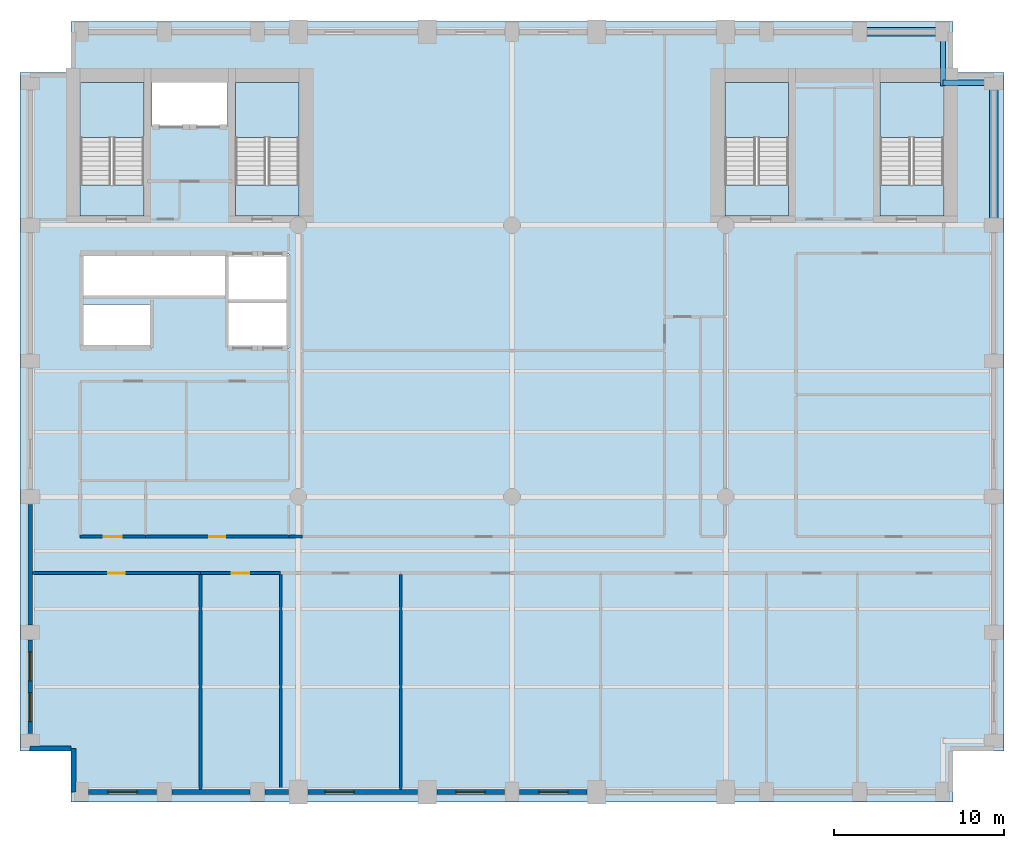
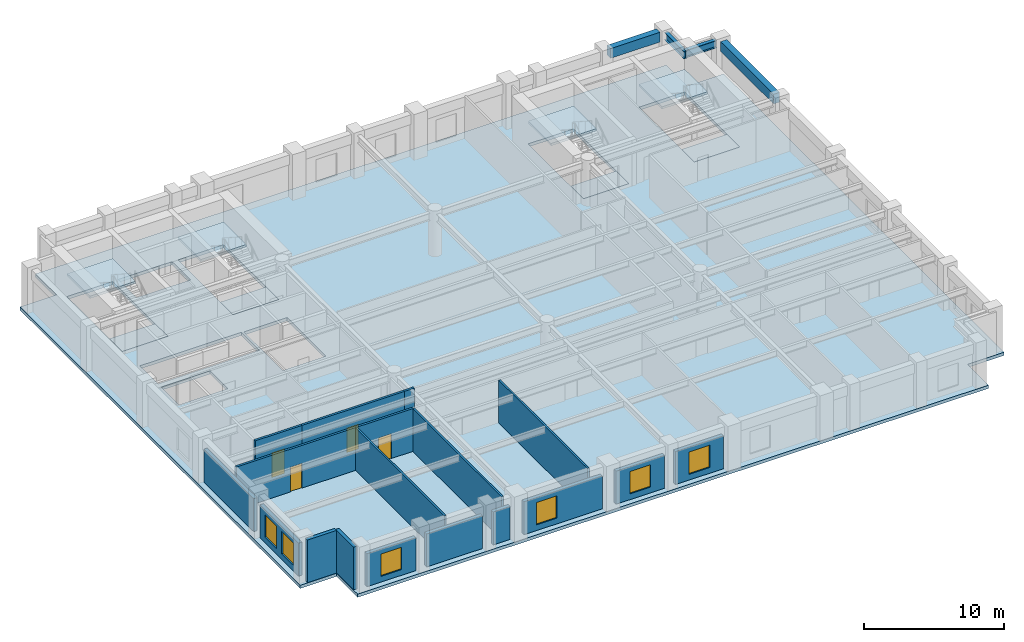
# One storey, part 2 of 8: 18 walls, 9 slabs, 6 windows, 4 beams, 4 doors, 10 openings, 4 elements without a shape of their own.
"""IFC4 building model written with IfcOpenShell, lengths in metres."""

import ifcopenshell
import ifcopenshell.guid

model = None  # the IFC model being written
_history = None  # IfcOwnerHistory: only IFC2X3 demands one
_inside = {}  # id of a spatial element -> (the spatial element, [elements in it])
_under = {}  # id of a project, library or spatial element -> (it, [spatial elements below it])
_declared = {}  # id of a project -> (the project, [libraries it declares])
_typed = {}  # id of a type object -> (the type object, [elements of that type])
_made_of = {}  # id of a material, layer set ... -> (it, [elements and type objects made of it])


def new_model(schema):
    """Start an empty IFC model of exactly this schema.

    Asked for "IFC4X3", IfcOpenShell would pick the latest addendum, in which some entities
    have other attributes; the version numbers below select the first issue.
    IFC2X3 requires an IfcOwnerHistory on every rooted entity: one is made here for all.
    """
    global model, _history
    if schema == "IFC4X3":
        model = ifcopenshell.file(schema_version=(4, 3, 0, 0))
    else:
        model = ifcopenshell.file(schema=schema)
    _inside.clear()
    _under.clear()
    _declared.clear()
    _typed.clear()
    _made_of.clear()
    _history = None
    if model.schema == "IFC2X3":
        org = make("IfcOrganization", Name="unknown")
        user = make(
            "IfcPersonAndOrganization",
            ThePerson=make("IfcPerson", FamilyName="unknown"),
            TheOrganization=org,
        )
        app = make(
            "IfcApplication",
            ApplicationDeveloper=org,
            Version="unknown",
            ApplicationFullName="unknown",
            ApplicationIdentifier="unknown",
        )
        _history = make(
            "IfcOwnerHistory",
            OwningUser=user,
            OwningApplication=app,
            ChangeAction="ADDED",
            CreationDate=0,
        )
    return model


def make(cls, **values):
    """One entity of the class cls with the attributes given. An attribute that is None is left unset."""
    return model.create_entity(
        cls, **{name: value for name, value in values.items() if value is not None}
    )


def rooted(cls, **values):
    """An entity with a GlobalId (a new one), such as an element, a storey or a relation."""
    return make(cls, GlobalId=ifcopenshell.guid.new(), OwnerHistory=_history, **values)


def si_unit(unit_type, name, prefix=None):
    """IfcSIUnit, for example si_unit("LENGTHUNIT", "METRE", prefix="MILLI")."""
    return make("IfcSIUnit", UnitType=unit_type, Prefix=prefix, Name=name)


def assignment(units):
    """IfcUnitAssignment: the units of a project."""
    return None if units is None else make("IfcUnitAssignment", Units=units)


def point(xyz):
    """IfcCartesianPoint."""
    return None if xyz is None else make("IfcCartesianPoint", Coordinates=xyz)


def direction(xyz):
    """IfcDirection."""
    return None if xyz is None else make("IfcDirection", DirectionRatios=xyz)


def frame(location, z_axis=None, x_axis=None):
    """IfcAxis2Placement3D, a coordinate frame: its origin and axes. An axis left out is left unset."""
    return make(
        "IfcAxis2Placement3D",
        Location=point(location),
        Axis=direction(z_axis),
        RefDirection=direction(x_axis),
    )


def frame_2d(location, x_axis=None):
    """IfcAxis2Placement2D, a coordinate frame in the plane: its origin and x axis."""
    return make(
        "IfcAxis2Placement2D", Location=point(location), RefDirection=direction(x_axis)
    )


def origin():
    """The frame at (0, 0, 0) with its axes left unset."""
    return frame((0.0, 0.0, 0.0))


def origin_2d():
    """The frame at (0, 0) in the plane with its x axis left unset."""
    return frame_2d((0.0, 0.0))


def place(relative_to, where):
    """IfcLocalPlacement: puts the frame where relative to a parent placement (None: the world)."""
    return make(
        "IfcLocalPlacement", PlacementRelTo=relative_to, RelativePlacement=where
    )


def context(
    kind, dimensions, precision=None, world=None, true_north=None, identifier=None
):
    """IfcGeometricRepresentationContext, for example the 3D "Model" context."""
    return make(
        "IfcGeometricRepresentationContext",
        ContextIdentifier=identifier,
        ContextType=kind,
        CoordinateSpaceDimension=dimensions,
        Precision=precision,
        WorldCoordinateSystem=world,
        TrueNorth=true_north,
    )


def subcontext(parent, identifier, kind, view, scale=None):
    """IfcGeometricRepresentationSubContext, for example "Body" below "Model"."""
    return make(
        "IfcGeometricRepresentationSubContext",
        ContextIdentifier=identifier,
        ContextType=kind,
        ParentContext=parent,
        TargetScale=scale,
        TargetView=view,
    )


def project(units=None, contexts=None):
    """IfcProject with its units and contexts."""
    return rooted(
        "IfcProject",
        Name="project",
        RepresentationContexts=contexts,
        UnitsInContext=assignment(units),
    )


def spatial(cls, under=None, at=None, **own):
    """A site, building, storey or space (cls), placed at a placement, below another one or the project."""
    s = rooted(cls, ObjectPlacement=at, **own)
    if under is not None:
        _under.setdefault(under.id(), (under, []))[1].append(s)
    return s


def polyline(points):
    """IfcPolyline through the points."""
    return make("IfcPolyline", Points=[point(p) for p in points])


def profile(cls, at=None, kind="AREA", **sizes):
    """A parametric profile (cls). Its sizes go by their IFC names, for example OverallWidth=200.0."""
    return make(cls, ProfileType=kind, Position=at, **sizes)


def rectangle(**sizes):
    """IfcRectangleProfileDef."""
    return profile("IfcRectangleProfileDef", **sizes)


def i_section(**sizes):
    """IfcIShapeProfileDef."""
    return profile("IfcIShapeProfileDef", **sizes)


def outline(outer, holes=None, kind="AREA"):
    """IfcArbitraryClosedProfileDef: a profile drawn as a closed curve; with holes, ...WithVoids."""
    if holes is None:
        return make("IfcArbitraryClosedProfileDef", ProfileType=kind, OuterCurve=outer)
    return make(
        "IfcArbitraryProfileDefWithVoids",
        ProfileType=kind,
        OuterCurve=outer,
        InnerCurves=holes,
    )


def extrude(swept, where, along, depth):
    """IfcExtrudedAreaSolid: the profile swept, set in the frame where, extruded along a direction by depth."""
    return make(
        "IfcExtrudedAreaSolid",
        SweptArea=swept,
        Position=where,
        ExtrudedDirection=direction(along),
        Depth=depth,
    )


def shape(context_of_items, identifier, shape_type, items):
    """IfcShapeRepresentation: the items that make up one representation, for example the "Body"."""
    return make(
        "IfcShapeRepresentation",
        ContextOfItems=context_of_items,
        RepresentationIdentifier=identifier,
        RepresentationType=shape_type,
        Items=items,
    )


def material(Name=None, Category=None):
    """IfcMaterial."""
    return make("IfcMaterial", Name=Name, Category=Category)


def layer(
    of_material, thickness, ventilated=None, Name=None, Category=None, Priority=None
):
    """IfcMaterialLayer: one layer of a wall or slab, of a material (None: an air gap)."""
    return make(
        "IfcMaterialLayer",
        Material=of_material,
        LayerThickness=thickness,
        IsVentilated=ventilated,
        Name=Name,
        Category=Category,
        Priority=Priority,
    )


def layer_set(layers, Name=None):
    """IfcMaterialLayerSet."""
    return make("IfcMaterialLayerSet", MaterialLayers=layers, LayerSetName=Name)


def material_profile(
    of_material, cross_section, Name=None, Category=None, Priority=None
):
    """IfcMaterialProfile: a cross section and its material."""
    return make(
        "IfcMaterialProfile",
        Name=Name,
        Material=of_material,
        Profile=cross_section,
        Priority=Priority,
        Category=Category,
    )


def profile_set(profiles, Name=None, composite=None):
    """IfcMaterialProfileSet."""
    return make(
        "IfcMaterialProfileSet",
        Name=Name,
        MaterialProfiles=profiles,
        CompositeProfile=composite,
    )


def made_of(thing, what):
    """Note that an element or type object is made of a material, layer set ...; save() writes the relation."""
    if what is not None:
        _made_of.setdefault(what.id(), (what, []))[1].append(thing)
    return thing


def type_object(cls, material=None, **own):
    """A type object (cls), such as IfcWallType, which elements share."""
    return made_of(rooted(cls, **own), material)


def element(
    cls,
    number,
    at=None,
    inside=None,
    cuts=None,
    type_object=None,
    material=None,
    context=None,
    identifier="Body",
    shape_type=None,
    held_by="IfcProductDefinitionShape",
    body=None,
    shapes=None,
    **own,
):
    """One element of the class cls, such as IfcWall. Its Tag is "e" and its number.

    at: its placement. inside: the storey or other place that contains it. cuts: it is an
    opening in that element (IfcRelVoidsElement). A single representation is given by context,
    identifier, shape_type and body (its items); several are given by shapes. held_by: the class
    of the entity that holds the representations. save() writes the other relations.
    """
    e = rooted(cls, Tag="e%d" % number, ObjectPlacement=at, **own)
    if body is not None:
        shapes = [shape(context, identifier, shape_type, body)]
    if shapes is not None:
        e.Representation = make(held_by, Representations=shapes)
    if inside is not None:
        _inside.setdefault(inside.id(), (inside, []))[1].append(e)
    if cuts is not None:
        rooted(
            "IfcRelVoidsElement", RelatingBuildingElement=cuts, RelatedOpeningElement=e
        )
    if type_object is not None:
        _typed.setdefault(type_object.id(), (type_object, []))[1].append(e)
    return made_of(e, material)


def fill(opening, filler):
    """IfcRelFillsElement: the door or window that sits in an opening."""
    return rooted(
        "IfcRelFillsElement",
        RelatingOpeningElement=opening,
        RelatedBuildingElement=filler,
    )


def aggregate(whole, parts):
    """IfcRelAggregates: a whole, such as a stair, and the parts it consists of."""
    return rooted("IfcRelAggregates", RelatingObject=whole, RelatedObjects=parts)


def save(model, path):
    """Write the relations noted so far, then the file.

    IfcRelAggregates (storeys below a building ...), IfcRelContainedInSpatialStructure (elements
    in a storey), IfcRelDefinesByType, IfcRelAssociatesMaterial and IfcRelDeclares: one each for
    every whole, place, type object, material and project.
    """
    for whole, parts in _under.values():
        aggregate(whole, parts)
    for where, things in _inside.values():
        rooted(
            "IfcRelContainedInSpatialStructure",
            RelatedElements=things,
            RelatingStructure=where,
        )
    for kind, things in _typed.values():
        rooted("IfcRelDefinesByType", RelatedObjects=things, RelatingType=kind)
    for what, things in _made_of.values():
        rooted("IfcRelAssociatesMaterial", RelatedObjects=things, RelatingMaterial=what)
    for by, libraries in _declared.values():
        rooted("IfcRelDeclares", RelatingContext=by, RelatedDefinitions=libraries)
    model.write(path)


model = new_model("IFC4")

# Units and contexts
model_context = context("Model", 3, precision=1e-05, world=origin(), true_north=direction((0.0, 1.0)))
body_context = subcontext(model_context, "Body", "Model", "MODEL_VIEW")
ifc_project = project(units=[si_unit("LENGTHUNIT", "METRE"), si_unit("AREAUNIT", "SQUARE_METRE"), si_unit("VOLUMEUNIT", "CUBIC_METRE"), si_unit("PLANEANGLEUNIT", "RADIAN"), si_unit("MASSUNIT", "GRAM", prefix="KILO")], contexts=[model_context])

# Site, building, storey
site_placement = place(None, origin())
site = spatial("IfcSite", under=ifc_project, at=site_placement, CompositionType="ELEMENT")
building_placement = place(site_placement, origin())
building = spatial("IfcBuilding", under=site, at=building_placement, Name="Sulina Concourse Tower", CompositionType="ELEMENT")
storey_placement = place(building_placement, frame((0.0, 0.0, 128.60009765625)))
storey = spatial("IfcBuildingStorey", under=building, at=storey_placement, Name="L31", CompositionType="ELEMENT", Elevation=128.60009765625)

# Beams
ifc_material_1 = material(Name="Steel S355", Category="steel")
ifc_material_profile_1 = material_profile(ifc_material_1, i_section(OverallWidth=0.300048828125, OverallDepth=0.64990234375, WebThickness=0.01611328125, FlangeThickness=0.031005859375, at=origin_2d()), Name="HE 650 B")
ifc_profile_set_1 = profile_set([ifc_material_profile_1], Name="Steel S355")
beam_type_1 = type_object("IfcBeamType", Name="Floor Primary Girder Zone 2 HE650B", PredefinedType="BEAM", material=ifc_profile_set_1)
beam_1_placement = place(storey_placement, frame((54.39990234375, 42.39990234375, 3.39990234375), z_axis=(1.0, 0.0, 0.0), x_axis=(0.0, 1.0, 0.0)))
element("IfcBeam", 1, at=beam_1_placement, inside=storey, type_object=beam_type_1, Name="TIE-NE-L31", PredefinedType="BEAM", context=body_context, shape_type="SweptSolid", body=[
    extrude(i_section(OverallWidth=0.300048828125, OverallDepth=0.64990234375, WebThickness=0.01611328125, FlangeThickness=0.031005859375, at=origin_2d()), origin(), (0.0, 0.0, 1.0), 2.59521484375),
])
beam_2_placement = place(storey_placement, frame((54.39990234375, 42.199951171875, 3.39990234375), z_axis=(0.0, 1.0, 0.0), x_axis=(-1.0, 0.0, 0.0)))
element("IfcBeam", 2, at=beam_2_placement, inside=storey, type_object=beam_type_1, Name="TIE-NEN-L31", PredefinedType="BEAM", context=body_context, shape_type="SweptSolid", body=[
    extrude(i_section(OverallWidth=0.300048828125, OverallDepth=0.64990234375, WebThickness=0.01611328125, FlangeThickness=0.031005859375, at=origin_2d()), origin(), (0.0, 0.0, 1.0), 2.795166015625),
])
ifc_material_2 = material(Name="Precast concrete C50/60", Category="concrete")
ifc_material_profile_2 = material_profile(ifc_material_2, rectangle(XDim=0.5, YDim=0.85009765625, at=origin_2d()), Name="RC 500x850")
ifc_profile_set_2 = profile_set([ifc_material_profile_2], Name="Precast concrete C50/60")
beam_type_2 = type_object("IfcBeamType", Name="Lower Precast Spandrel Edge Beam 500x850", PredefinedType="BEAM", material=ifc_profile_set_2)
beam_3_placement = place(storey_placement, frame((49.905029296875, 45.39990234375, 3.2998046875), z_axis=(1.0, 0.0, 0.0), x_axis=(0.0, 1.0, 0.0)))
element("IfcBeam", 3, at=beam_3_placement, inside=storey, type_object=beam_type_2, Name="SP-N10-L31", PredefinedType="BEAM", context=body_context, shape_type="SweptSolid", body=[
    extrude(rectangle(XDim=0.5, YDim=0.85009765625, at=origin_2d()), origin(), (0.0, 0.0, 1.0), 4.090087890625),
])
beam_4_placement = place(storey_placement, frame((57.39990234375, 34.405029296875, 3.2998046875), z_axis=(0.0, 1.0, 0.0), x_axis=(-1.0, 0.0, 0.0)))
element("IfcBeam", 4, at=beam_4_placement, inside=storey, type_object=beam_type_2, Name="SP-E5-L31", PredefinedType="BEAM", context=body_context, shape_type="SweptSolid", body=[
    extrude(rectangle(XDim=0.5, YDim=0.85009765625, at=origin_2d()), origin(), (0.0, 0.0, 1.0), 7.590087890625),
])

# Slabs
ifc_material_3 = material(Name="Concrete C50/60", Category="concrete")
ifc_layer_1 = layer(ifc_material_3, 0.27490234375)
ifc_layer_set_1 = layer_set([ifc_layer_1], Name="Concrete C50/60")
slab_type_1 = type_object("IfcSlabType", Name="Mid-Rise Composite Floor Slab 275mm", PredefinedType="FLOOR", material=ifc_layer_set_1)
slab_1_placement = place(storey_placement, frame((0.0, 0.0, -0.275146484375)))
element("IfcSlab", 5, at=slab_1_placement, inside=storey, type_object=slab_type_1, Name="L31 structural floor slab", PredefinedType="FLOOR", context=body_context, shape_type="SweptSolid", body=[
    extrude(outline(polyline([(3.0, 0.0), (55.0, 0.0), (55.0, 3.0), (58.0, 3.0), (58.0, 43.0), (55.0, 43.0), (55.0, 46.0), (3.0, 46.0), (3.0, 43.0), (0.0, 43.0), (0.0, 3.0), (3.0, 3.0), (3.0, 0.0)]), holes=[polyline([(7.31005859375, 34.550048828125), (7.31005859375, 42.429931640625), (3.550048828125, 42.429931640625), (3.550048828125, 34.550048828125), (7.31005859375, 34.550048828125)]), polyline([(16.449951171875, 34.550048828125), (16.449951171875, 42.429931640625), (12.68994140625, 42.429931640625), (12.68994140625, 34.550048828125), (16.449951171875, 34.550048828125)]), polyline([(45.31005859375, 34.550048828125), (45.31005859375, 42.429931640625), (41.550048828125, 42.429931640625), (41.550048828125, 34.550048828125), (45.31005859375, 34.550048828125)]), polyline([(54.449951171875, 34.550048828125), (54.449951171875, 42.429931640625), (50.68994140625, 42.429931640625), (50.68994140625, 34.550048828125), (54.449951171875, 34.550048828125)]), polyline([(7.780029296875, 39.830078125), (12.219970703125, 39.830078125), (12.219970703125, 42.449951171875), (7.780029296875, 42.449951171875), (7.780029296875, 39.830078125)]), polyline([(3.739990234375, 26.780029296875), (7.77001953125, 26.780029296875), (7.77001953125, 29.320068359375), (3.739990234375, 29.320068359375), (3.739990234375, 26.780029296875)]), polyline([(3.739990234375, 29.780029296875), (12.10009765625, 29.780029296875), (12.10009765625, 32.3701171875), (3.739990234375, 32.3701171875), (3.739990234375, 29.780029296875)]), polyline([(12.280029296875, 26.780029296875), (15.85009765625, 26.780029296875), (15.85009765625, 32.320068359375), (12.280029296875, 32.320068359375), (12.280029296875, 26.780029296875)])]), origin(), (0.0, 0.0, 1.0), 0.275146484375),
])
ifc_material_4 = material(Name="Concrete C50/60", Category="concrete")
ifc_layer_2 = layer(ifc_material_4, 0.199951171875)
ifc_layer_set_2 = layer_set([ifc_layer_2], Name="Concrete C50/60")
slab_type_2 = type_object("IfcSlabType", Name="Primary Core Stair Landing Slab 200mm", PredefinedType="LANDING", material=ifc_layer_set_2)
slab_2_placement = place(storey_placement, frame((0.0, 0.0, -0.2001953125)))
element("IfcSlab", 6, at=slab_2_placement, inside=storey, type_object=slab_type_2, Name="L31 ST-1 floor landing slab", PredefinedType="LANDING", context=body_context, shape_type="SweptSolid", body=[
    extrude(outline(polyline([(7.31005859375, 34.550048828125), (7.31005859375, 36.375), (3.550048828125, 36.375), (3.550048828125, 34.550048828125), (7.31005859375, 34.550048828125)])), origin(), (0.0, 0.0, 1.0), 0.2001953125),
])
slab_3_placement = place(storey_placement, frame((0.0, 0.0, -0.2001953125)))
element("IfcSlab", 7, at=slab_3_placement, inside=storey, type_object=slab_type_2, Name="L31 ST-2 floor landing slab", PredefinedType="LANDING", context=body_context, shape_type="SweptSolid", body=[
    extrude(outline(polyline([(16.449951171875, 34.550048828125), (16.449951171875, 36.375), (12.68994140625, 36.375), (12.68994140625, 34.550048828125), (16.449951171875, 34.550048828125)])), origin(), (0.0, 0.0, 1.0), 0.2001953125),
])
slab_4_placement = place(storey_placement, frame((0.0, 0.0, -0.2001953125)))
element("IfcSlab", 8, at=slab_4_placement, inside=storey, type_object=slab_type_2, Name="L31 ST-3 floor landing slab", PredefinedType="LANDING", context=body_context, shape_type="SweptSolid", body=[
    extrude(outline(polyline([(45.31005859375, 34.550048828125), (45.31005859375, 36.375), (41.550048828125, 36.375), (41.550048828125, 34.550048828125), (45.31005859375, 34.550048828125)])), origin(), (0.0, 0.0, 1.0), 0.2001953125),
])
slab_5_placement = place(storey_placement, frame((0.0, 0.0, -0.2001953125)))
element("IfcSlab", 9, at=slab_5_placement, inside=storey, type_object=slab_type_2, Name="L31 ST-4 floor landing slab", PredefinedType="LANDING", context=body_context, shape_type="SweptSolid", body=[
    extrude(outline(polyline([(54.449951171875, 34.550048828125), (54.449951171875, 36.375), (50.68994140625, 36.375), (50.68994140625, 34.550048828125), (54.449951171875, 34.550048828125)])), origin(), (0.0, 0.0, 1.0), 0.2001953125),
])

# Stair, slab
ifc_material_5 = material(Name="Concrete C50/60", Category="concrete")
stair_type_1 = type_object("IfcStairType", Name="Primary Core Dog-Leg Exit Stair 1800mm", PredefinedType="HALF_TURN_STAIR", material=ifc_material_5)
stair_1_placement = place(storey_placement, origin())
stair_1 = element("IfcStair", 10, at=stair_1_placement, inside=storey, type_object=stair_type_1, Name="L31 ST-1", PredefinedType="HALF_TURN_STAIR")
slab_6_placement = place(storey_placement, frame((0.0, 0.0, 1.7998046875)))
slab_6 = element("IfcSlab", 11, at=slab_6_placement, type_object=slab_type_2, Name="ST-1 landing 1", PredefinedType="LANDING", context=body_context, shape_type="SweptSolid", body=[
    extrude(outline(polyline([(7.304931640625, 39.175048828125), (7.304931640625, 42.425048828125), (3.554931640625, 42.425048828125), (3.554931640625, 39.175048828125), (7.304931640625, 39.175048828125)])), origin(), (0.0, 0.0, 1.0), 0.2001953125),
])
aggregate(stair_1, [slab_6])

stair_2_placement = place(storey_placement, origin())
stair_2 = element("IfcStair", 12, at=stair_2_placement, inside=storey, type_object=stair_type_1, Name="L31 ST-2", PredefinedType="HALF_TURN_STAIR")
slab_7_placement = place(storey_placement, frame((0.0, 0.0, 1.7998046875)))
slab_7 = element("IfcSlab", 13, at=slab_7_placement, type_object=slab_type_2, Name="ST-2 landing 1", PredefinedType="LANDING", context=body_context, shape_type="SweptSolid", body=[
    extrude(outline(polyline([(16.445068359375, 39.175048828125), (16.445068359375, 42.425048828125), (12.695068359375, 42.425048828125), (12.695068359375, 39.175048828125), (16.445068359375, 39.175048828125)])), origin(), (0.0, 0.0, 1.0), 0.2001953125),
])
aggregate(stair_2, [slab_7])

ifc_material_6 = material(Name="Concrete C50/60", Category="concrete")
stair_type_2 = type_object("IfcStairType", Name="Portal & Podium Core Exit Stair 1820mm", PredefinedType="HALF_TURN_STAIR", material=ifc_material_6)
stair_3_placement = place(storey_placement, origin())
stair_3 = element("IfcStair", 14, at=stair_3_placement, inside=storey, type_object=stair_type_2, Name="L31 ST-3", PredefinedType="HALF_TURN_STAIR")
slab_8_placement = place(storey_placement, frame((0.0, 0.0, 1.7998046875)))
slab_8 = element("IfcSlab", 15, at=slab_8_placement, type_object=slab_type_2, Name="ST-3 landing 1", PredefinedType="LANDING", context=body_context, shape_type="SweptSolid", body=[
    extrude(outline(polyline([(45.304931640625, 39.175048828125), (45.304931640625, 42.425048828125), (41.554931640625, 42.425048828125), (41.554931640625, 39.175048828125), (45.304931640625, 39.175048828125)])), origin(), (0.0, 0.0, 1.0), 0.2001953125),
])
aggregate(stair_3, [slab_8])

stair_4_placement = place(storey_placement, origin())
stair_4 = element("IfcStair", 16, at=stair_4_placement, inside=storey, type_object=stair_type_2, Name="L31 ST-4", PredefinedType="HALF_TURN_STAIR")
slab_9_placement = place(storey_placement, frame((0.0, 0.0, 1.7998046875)))
slab_9 = element("IfcSlab", 17, at=slab_9_placement, type_object=slab_type_2, Name="ST-4 landing 1", PredefinedType="LANDING", context=body_context, shape_type="SweptSolid", body=[
    extrude(outline(polyline([(54.445068359375, 39.175048828125), (54.445068359375, 42.425048828125), (50.695068359375, 42.425048828125), (50.695068359375, 39.175048828125), (54.445068359375, 39.175048828125)])), origin(), (0.0, 0.0, 1.0), 0.2001953125),
])
aggregate(stair_4, [slab_9])

# Walls
ifc_material_7 = material(Name="Gypsum board on steel stud", Category="steel")
ifc_layer_3 = layer(ifc_material_7, 0.14990234375)
ifc_layer_set_3 = layer_set([ifc_layer_3], Name="Gypsum board on steel stud")
wall_type_1 = type_object("IfcWallType", Name="Inter-Tenancy Acoustic Partition 150mm", PredefinedType="PARTITIONING", material=ifc_layer_set_3)
for number, where, z_axis, x_axis, name in (
    (18, (10.639892578125, 0.739990234375, 0.0), (0.0, 0.0, 1.0), (0.0, 1.0, 0.0), "L31 interior partition 034"),
    (19, (15.360107421875, 0.739990234375, 0.0), (0.0, 0.0, 1.0), (0.0, 1.0, 0.0), "L31 interior partition 035"),
    (20, (22.43994140625, 0.739990234375, 0.0), (0.0, 0.0, 1.0), (0.0, 1.0, 0.0), "L31 interior partition 043"),
):
    element("IfcWall", number, at=place(storey_placement, frame(where, z_axis=z_axis, x_axis=x_axis)), inside=storey, type_object=wall_type_1, Name=name, PredefinedType="PARTITIONING", context=body_context, shape_type="SweptSolid", body=[
        extrude(rectangle(XDim=12.669921875, YDim=0.14990234375, at=frame_2d((6.3349609375, 0.0))), origin(), (0.0, 0.0, 1.0), 3.724853515625),
    ])

# Wall, opening, door
ifc_material_8 = material(Name="Gypsum board on steel stud", Category="steel")
ifc_layer_4 = layer(ifc_material_8, 0.179931640625)
ifc_layer_set_4 = layer_set([ifc_layer_4], Name="Gypsum board on steel stud")
wall_type_2 = type_object("IfcWallType", Name="Protected Corridor & Riser Partition 180mm", PredefinedType="PARTITIONING", material=ifc_layer_set_4)
wall_1_placement = place(storey_placement, frame((0.739990234375, 13.5, 0.0), z_axis=(0.0, 0.0, 1.0), x_axis=(1.0, 0.0, 0.0)))
wall_1 = element("IfcWall", 21, at=wall_1_placement, inside=storey, type_object=wall_type_2, Name="L31 interior partition 001", PredefinedType="PARTITIONING", context=body_context, shape_type="SweptSolid", body=[
    extrude(rectangle(XDim=9.89990234375, YDim=0.179931640625, at=frame_2d((4.949951171875, 0.0))), origin(), (0.0, 0.0, 1.0), 3.724853515625),
])
opening_1_placement = place(wall_1_placement, frame((4.47509765625, 0.0, 0.0)))
opening_1 = element("IfcOpeningElement", 22, at=opening_1_placement, cuts=wall_1, Name="Opening DR-19", PredefinedType="OPENING", context=body_context, shape_type="SweptSolid", body=[
    extrude(rectangle(XDim=0.949951171875, YDim=2.14990234375, at=frame_2d((0.47509765625, 1.074951171875))), frame((0.0, 0.099853515625, 0.0), z_axis=(0.0, -1.0, 0.0), x_axis=(1.0, 0.0, 0.0)), (0.0, 0.0, 1.0), 0.199951171875),
])
ifc_material_9 = material(Name="Oak-veneered acoustic timber leaf", Category="wood")
ifc_layer_5 = layer(ifc_material_9, 0.050048828125)
ifc_layer_set_5 = layer_set([ifc_layer_5], Name="Oak-veneered acoustic timber leaf")
door_type_1 = type_object("IfcDoorType", Name="Cellular Office & Meeting Door 950x2150", OperationType="NOTDEFINED", PredefinedType="DOOR", material=ifc_layer_set_5)
door_1_placement = place(opening_1_placement, origin())
door_1 = element("IfcDoor", 23, at=door_1_placement, inside=storey, type_object=door_type_1, Name="L31 interior door L31-S01", OperationType="SINGLE_SWING_LEFT", OverallHeight=2.14990234375, OverallWidth=0.949951171875, PredefinedType="DOOR", context=body_context, shape_type="SweptSolid", body=[
    extrude(rectangle(XDim=0.949951171875, YDim=2.14990234375, at=frame_2d((0.47509765625, 1.074951171875))), frame((0.0, 0.02490234375, 0.0), z_axis=(0.0, -1.0, 0.0), x_axis=(1.0, 0.0, 0.0)), (0.0, 0.0, 1.0), 0.050048828125),
])
fill(opening_1, door_1)

wall_2_placement = place(storey_placement, frame((10.639892578125, 13.5, 0.0), z_axis=(0.0, 0.0, 1.0), x_axis=(1.0, 0.0, 0.0)))
wall_2 = element("IfcWall", 24, at=wall_2_placement, inside=storey, type_object=wall_type_2, Name="L31 interior partition 002", PredefinedType="PARTITIONING", context=body_context, shape_type="SweptSolid", body=[
    extrude(rectangle(XDim=4.72021484375, YDim=0.179931640625, at=frame_2d((2.360107421875, 0.0))), origin(), (0.0, 0.0, 1.0), 3.724853515625),
])
opening_2_placement = place(wall_2_placement, frame((1.8349609375, 0.0, 0.0)))
opening_2 = element("IfcOpeningElement", 25, at=opening_2_placement, cuts=wall_2, Name="Opening DR-37", PredefinedType="OPENING", context=body_context, shape_type="SweptSolid", body=[
    extrude(rectangle(XDim=1.050048828125, YDim=2.14990234375, at=frame_2d((0.52490234375, 1.074951171875))), frame((0.0, 0.099853515625, 0.0), z_axis=(0.0, -1.0, 0.0), x_axis=(1.0, 0.0, 0.0)), (0.0, 0.0, 1.0), 0.199951171875),
])
ifc_material_10 = material(Name="Oak-veneered fire door leaf")
ifc_layer_6 = layer(ifc_material_10, 0.050048828125)
ifc_layer_set_6 = layer_set([ifc_layer_6], Name="Oak-veneered fire door leaf")
door_type_2 = type_object("IfcDoorType", Name="Tenant Suite Entrance Fire Door 1050x2150", OperationType="NOTDEFINED", PredefinedType="DOOR", material=ifc_layer_set_6)
door_2_placement = place(opening_2_placement, origin())
door_2 = element("IfcDoor", 26, at=door_2_placement, inside=storey, type_object=door_type_2, Name="L31 interior door L31-S02A", OperationType="SINGLE_SWING_RIGHT", OverallHeight=2.14990234375, OverallWidth=1.050048828125, PredefinedType="DOOR", context=body_context, shape_type="SweptSolid", body=[
    extrude(rectangle(XDim=1.050048828125, YDim=2.14990234375, at=frame_2d((0.52490234375, 1.074951171875))), frame((0.0, 0.02490234375, 0.0), z_axis=(0.0, -1.0, 0.0), x_axis=(1.0, 0.0, 0.0)), (0.0, 0.0, 1.0), 0.050048828125),
])
fill(opening_2, door_2)

wall_3_placement = place(storey_placement, frame((3.550048828125, 15.64990234375, 0.0), z_axis=(0.0, 0.0, 1.0), x_axis=(1.0, 0.0, 0.0)))
wall_3 = element("IfcWall", 27, at=wall_3_placement, inside=storey, type_object=wall_type_2, Name="L31 interior partition 008", PredefinedType="PARTITIONING", context=body_context, shape_type="SweptSolid", body=[
    extrude(rectangle(XDim=3.849853515625, YDim=0.179931640625, at=frame_2d((1.9248046875, 0.0))), origin(), (0.0, 0.0, 1.0), 3.724853515625),
])
opening_3_placement = place(wall_3_placement, frame((1.39990234375, 0.0, 0.0)))
opening_3 = element("IfcOpeningElement", 28, at=opening_3_placement, cuts=wall_3, Name="Opening DR-37", PredefinedType="OPENING", context=body_context, shape_type="SweptSolid", body=[
    extrude(rectangle(XDim=1.050048828125, YDim=2.14990234375, at=frame_2d((0.52490234375, 1.074951171875))), frame((0.0, 0.099853515625, 0.0), z_axis=(0.0, -1.0, 0.0), x_axis=(1.0, 0.0, 0.0)), (0.0, 0.0, 1.0), 0.199951171875),
])
door_3_placement = place(opening_3_placement, origin())
door_3 = element("IfcDoor", 29, at=door_3_placement, inside=storey, type_object=door_type_2, Name="L31 interior door L31-WSB-1", OperationType="SINGLE_SWING_RIGHT", OverallHeight=2.14990234375, OverallWidth=1.050048828125, PredefinedType="DOOR", context=body_context, shape_type="SweptSolid", body=[
    extrude(rectangle(XDim=1.050048828125, YDim=2.14990234375, at=frame_2d((0.52490234375, 1.074951171875))), frame((0.0, 0.02490234375, 0.0), z_axis=(0.0, -1.0, 0.0), x_axis=(1.0, 0.0, 0.0)), (0.0, 0.0, 1.0), 0.050048828125),
])
fill(opening_3, door_3)

wall_4_placement = place(storey_placement, frame((7.39990234375, 15.64990234375, 0.0), z_axis=(0.0, 0.0, 1.0), x_axis=(1.0, 0.0, 0.0)))
wall_4 = element("IfcWall", 30, at=wall_4_placement, inside=storey, type_object=wall_type_2, Name="L31 interior partition 009", PredefinedType="PARTITIONING", context=body_context, shape_type="SweptSolid", body=[
    extrude(rectangle(XDim=8.4501953125, YDim=0.179931640625, at=frame_2d((4.22509765625, 0.0))), origin(), (0.0, 0.0, 1.0), 3.724853515625),
])
opening_4_placement = place(wall_4_placement, frame((3.75, 0.0, 0.0)))
opening_4 = element("IfcOpeningElement", 31, at=opening_4_placement, cuts=wall_4, Name="Opening DR-19", PredefinedType="OPENING", context=body_context, shape_type="SweptSolid", body=[
    extrude(rectangle(XDim=0.949951171875, YDim=2.14990234375, at=frame_2d((0.47509765625, 1.074951171875))), frame((0.0, 0.099853515625, 0.0), z_axis=(0.0, -1.0, 0.0), x_axis=(1.0, 0.0, 0.0)), (0.0, 0.0, 1.0), 0.199951171875),
])
door_4_placement = place(opening_4_placement, origin())
door_4 = element("IfcDoor", 32, at=door_4_placement, inside=storey, type_object=door_type_1, Name="L31 interior door L31-WSB-2", OperationType="SINGLE_SWING_LEFT", OverallHeight=2.14990234375, OverallWidth=0.949951171875, PredefinedType="DOOR", context=body_context, shape_type="SweptSolid", body=[
    extrude(rectangle(XDim=0.949951171875, YDim=2.14990234375, at=frame_2d((0.47509765625, 1.074951171875))), frame((0.0, 0.02490234375, 0.0), z_axis=(0.0, -1.0, 0.0), x_axis=(1.0, 0.0, 0.0)), (0.0, 0.0, 1.0), 0.050048828125),
])
fill(opening_4, door_4)

# Wall
wall_5_placement = place(storey_placement, frame((15.85009765625, 15.64990234375, 0.0), z_axis=(0.0, 0.0, 1.0), x_axis=(1.0, 0.0, 0.0)))
element("IfcWall", 33, at=wall_5_placement, inside=storey, type_object=wall_type_2, Name="L31 interior partition 010", PredefinedType="PARTITIONING", context=body_context, shape_type="SweptSolid", body=[
    extrude(rectangle(XDim=0.7998046875, YDim=0.179931640625, at=frame_2d((0.39990234375, 0.0))), origin(), (0.0, 0.0, 1.0), 3.724853515625),
])

# Wall, opening, window
ifc_material_11 = material(Name="Precast concrete C50/60", Category="concrete")
ifc_layer_7 = layer(ifc_material_11, 0.280029296875)
ifc_layer_set_7 = layer_set([ifc_layer_7], Name="Precast concrete C50/60")
wall_type_3 = type_object("IfcWallType", Name="Typical Precast Masonry-Frame Facade Wall 280mm", PredefinedType="SOLIDWALL", material=ifc_layer_set_7)
wall_6_placement = place(storey_placement, frame((8.054931640625, 0.60009765625, 0.0), z_axis=(0.0, 0.0, 1.0), x_axis=(-1.0, 0.0, 0.0)))
wall_6 = element("IfcWall", 34, at=wall_6_placement, inside=storey, type_object=wall_type_3, Name="L31 exterior precast wall S1", PredefinedType="SOLIDWALL", context=body_context, shape_type="SweptSolid", body=[
    extrude(rectangle(XDim=4.010009765625, YDim=0.280029296875, at=frame_2d((2.0048828125, 0.0))), origin(), (0.0, 0.0, 1.0), 2.875),
])
opening_5_placement = place(wall_6_placement, frame((1.155029296875, 0.0, 0.5)))
opening_5 = element("IfcOpeningElement", 35, at=opening_5_placement, cuts=wall_6, Name="Opening WN-66", PredefinedType="OPENING", context=body_context, shape_type="SweptSolid", body=[
    extrude(rectangle(XDim=1.699951171875, YDim=1.949951171875, at=frame_2d((0.85009765625, 0.97509765625))), frame((0.0, 0.14990234375, 0.0), z_axis=(0.0, -1.0, 0.0), x_axis=(1.0, 0.0, 0.0)), (0.0, 0.0, 1.0), 0.300048828125),
])
ifc_material_12 = material(Name="Low-E solar double glazing in bronze aluminium", Category="aluminium")
window_type = type_object("IfcWindowType", Name="Recessed Spandrel Window 1700x1950", PartitioningType="SINGLE_PANEL", PredefinedType="WINDOW", material=ifc_material_12)
window_1_placement = place(opening_5_placement, origin())
window_1 = element("IfcWindow", 36, at=window_1_placement, inside=storey, type_object=window_type, Name="L31 punched window S1-1", OverallHeight=1.949951171875, OverallWidth=1.699951171875, PartitioningType="SINGLE_PANEL", PredefinedType="WINDOW", context=body_context, shape_type="SweptSolid", body=[
    extrude(rectangle(XDim=1.699951171875, YDim=1.949951171875, at=frame_2d((0.85009765625, 0.97509765625))), frame((0.0, 0.030029296875, 0.0), z_axis=(0.0, -1.0, 0.0), x_axis=(1.0, 0.0, 0.0)), (0.0, 0.0, 1.0), 0.06005859375),
])
fill(opening_5, window_1)

# Walls
wall_7_placement = place(storey_placement, frame((13.554931640625, 0.60009765625, 0.0), z_axis=(0.0, 0.0, 1.0), x_axis=(-1.0, 0.0, 0.0)))
element("IfcWall", 37, at=wall_7_placement, inside=storey, type_object=wall_type_3, Name="L31 exterior precast wall S2", PredefinedType="SOLIDWALL", context=body_context, shape_type="SweptSolid", body=[
    extrude(rectangle(XDim=4.60986328125, YDim=0.280029296875, at=frame_2d((2.304931640625, 0.0))), origin(), (0.0, 0.0, 1.0), 2.875),
])
wall_8_placement = place(storey_placement, frame((15.830078125, 0.60009765625, 0.0), z_axis=(0.0, 0.0, 1.0), x_axis=(-1.0, 0.0, 0.0)))
element("IfcWall", 38, at=wall_8_placement, inside=storey, type_object=wall_type_3, Name="L31 exterior precast wall S3", PredefinedType="SOLIDWALL", context=body_context, shape_type="SweptSolid", body=[
    extrude(rectangle(XDim=1.385009765625, YDim=0.280029296875, at=frame_2d((0.6923828125, 0.0))), origin(), (0.0, 0.0, 1.0), 2.875),
])

# Wall, opening, window
wall_9_placement = place(storey_placement, frame((23.429931640625, 0.60009765625, 0.0), z_axis=(0.0, 0.0, 1.0), x_axis=(-1.0, 0.0, 0.0)))
wall_9 = element("IfcWall", 39, at=wall_9_placement, inside=storey, type_object=wall_type_3, Name="L31 exterior precast wall S4", PredefinedType="SOLIDWALL", context=body_context, shape_type="SweptSolid", body=[
    extrude(rectangle(XDim=6.4599609375, YDim=0.280029296875, at=frame_2d((3.22998046875, 0.0))), origin(), (0.0, 0.0, 1.0), 2.875),
])
opening_6_placement = place(wall_9_placement, frame((3.739990234375, 0.0, 0.5)))
opening_6 = element("IfcOpeningElement", 40, at=opening_6_placement, cuts=wall_9, Name="Opening WN-66", PredefinedType="OPENING", context=body_context, shape_type="SweptSolid", body=[
    extrude(rectangle(XDim=1.699951171875, YDim=1.949951171875, at=frame_2d((0.85009765625, 0.97509765625))), frame((0.0, 0.14990234375, 0.0), z_axis=(0.0, -1.0, 0.0), x_axis=(1.0, 0.0, 0.0)), (0.0, 0.0, 1.0), 0.300048828125),
])
window_2_placement = place(opening_6_placement, origin())
window_2 = element("IfcWindow", 41, at=window_2_placement, inside=storey, type_object=window_type, Name="L31 punched window S4-1", OverallHeight=1.949951171875, OverallWidth=1.699951171875, PartitioningType="SINGLE_PANEL", PredefinedType="WINDOW", context=body_context, shape_type="SweptSolid", body=[
    extrude(rectangle(XDim=1.699951171875, YDim=1.949951171875, at=frame_2d((0.85009765625, 0.97509765625))), frame((0.0, 0.030029296875, 0.0), z_axis=(0.0, -1.0, 0.0), x_axis=(1.0, 0.0, 0.0)), (0.0, 0.0, 1.0), 0.06005859375),
])
fill(opening_6, window_2)

wall_10_placement = place(storey_placement, frame((28.554931640625, 0.60009765625, 0.0), z_axis=(0.0, 0.0, 1.0), x_axis=(-1.0, 0.0, 0.0)))
wall_10 = element("IfcWall", 42, at=wall_10_placement, inside=storey, type_object=wall_type_3, Name="L31 exterior precast wall S5", PredefinedType="SOLIDWALL", context=body_context, shape_type="SweptSolid", body=[
    extrude(rectangle(XDim=3.98486328125, YDim=0.280029296875, at=frame_2d((1.992431640625, 0.0))), origin(), (0.0, 0.0, 1.0), 2.875),
])
opening_7_placement = place(wall_10_placement, frame((1.142578125, 0.0, 0.5)))
opening_7 = element("IfcOpeningElement", 43, at=opening_7_placement, cuts=wall_10, Name="Opening WN-66", PredefinedType="OPENING", context=body_context, shape_type="SweptSolid", body=[
    extrude(rectangle(XDim=1.699951171875, YDim=1.949951171875, at=frame_2d((0.85009765625, 0.97509765625))), frame((0.0, 0.14990234375, 0.0), z_axis=(0.0, -1.0, 0.0), x_axis=(1.0, 0.0, 0.0)), (0.0, 0.0, 1.0), 0.300048828125),
])
window_3_placement = place(opening_7_placement, origin())
window_3 = element("IfcWindow", 44, at=window_3_placement, inside=storey, type_object=window_type, Name="L31 punched window S5-1", OverallHeight=1.949951171875, OverallWidth=1.699951171875, PartitioningType="SINGLE_PANEL", PredefinedType="WINDOW", context=body_context, shape_type="SweptSolid", body=[
    extrude(rectangle(XDim=1.699951171875, YDim=1.949951171875, at=frame_2d((0.85009765625, 0.97509765625))), frame((0.0, 0.030029296875, 0.0), z_axis=(0.0, -1.0, 0.0), x_axis=(1.0, 0.0, 0.0)), (0.0, 0.0, 1.0), 0.06005859375),
])
fill(opening_7, window_3)

wall_11_placement = place(storey_placement, frame((33.429931640625, 0.60009765625, 0.0), z_axis=(0.0, 0.0, 1.0), x_axis=(-1.0, 0.0, 0.0)))
wall_11 = element("IfcWall", 45, at=wall_11_placement, inside=storey, type_object=wall_type_3, Name="L31 exterior precast wall S6", PredefinedType="SOLIDWALL", context=body_context, shape_type="SweptSolid", body=[
    extrude(rectangle(XDim=3.98486328125, YDim=0.280029296875, at=frame_2d((1.992431640625, 0.0))), origin(), (0.0, 0.0, 1.0), 2.875),
])
opening_8_placement = place(wall_11_placement, frame((1.142578125, 0.0, 0.5)))
opening_8 = element("IfcOpeningElement", 46, at=opening_8_placement, cuts=wall_11, Name="Opening WN-66", PredefinedType="OPENING", context=body_context, shape_type="SweptSolid", body=[
    extrude(rectangle(XDim=1.699951171875, YDim=1.949951171875, at=frame_2d((0.85009765625, 0.97509765625))), frame((0.0, 0.14990234375, 0.0), z_axis=(0.0, -1.0, 0.0), x_axis=(1.0, 0.0, 0.0)), (0.0, 0.0, 1.0), 0.300048828125),
])
window_4_placement = place(opening_8_placement, origin())
window_4 = element("IfcWindow", 47, at=window_4_placement, inside=storey, type_object=window_type, Name="L31 punched window S6-1", OverallHeight=1.949951171875, OverallWidth=1.699951171875, PartitioningType="SINGLE_PANEL", PredefinedType="WINDOW", context=body_context, shape_type="SweptSolid", body=[
    extrude(rectangle(XDim=1.699951171875, YDim=1.949951171875, at=frame_2d((0.85009765625, 0.97509765625))), frame((0.0, 0.030029296875, 0.0), z_axis=(0.0, -1.0, 0.0), x_axis=(1.0, 0.0, 0.0)), (0.0, 0.0, 1.0), 0.06005859375),
])
fill(opening_8, window_4)

# Wall, openings, windows
wall_12_placement = place(storey_placement, frame((0.60009765625, 4.044921875, 0.0), z_axis=(0.0, 0.0, 1.0), x_axis=(0.0, 1.0, 0.0)))
wall_12 = element("IfcWall", 48, at=wall_12_placement, inside=storey, type_object=wall_type_3, Name="L31 exterior precast wall W1", PredefinedType="SOLIDWALL", context=body_context, shape_type="SweptSolid", body=[
    extrude(rectangle(XDim=5.510009765625, YDim=0.280029296875, at=frame_2d((2.7548828125, 0.0))), origin(), (0.0, 0.0, 1.0), 2.875),
])
opening_9_placement = place(wall_12_placement, frame((0.703369140625, 0.0, 0.5)))
opening_9 = element("IfcOpeningElement", 49, at=opening_9_placement, cuts=wall_12, Name="Opening WN-66", PredefinedType="OPENING", context=body_context, shape_type="SweptSolid", body=[
    extrude(rectangle(XDim=1.699951171875, YDim=1.949951171875, at=frame_2d((0.85009765625, 0.97509765625))), frame((0.0, 0.14990234375, 0.0), z_axis=(0.0, -1.0, 0.0), x_axis=(1.0, 0.0, 0.0)), (0.0, 0.0, 1.0), 0.300048828125),
])
opening_10_placement = place(wall_12_placement, frame((3.106689453125, 0.0, 0.5)))
opening_10 = element("IfcOpeningElement", 50, at=opening_10_placement, cuts=wall_12, Name="Opening WN-66", PredefinedType="OPENING", context=body_context, shape_type="SweptSolid", body=[
    extrude(rectangle(XDim=1.699951171875, YDim=1.949951171875, at=frame_2d((0.85009765625, 0.97509765625))), frame((0.0, 0.14990234375, 0.0), z_axis=(0.0, -1.0, 0.0), x_axis=(1.0, 0.0, 0.0)), (0.0, 0.0, 1.0), 0.300048828125),
])
window_5_placement = place(opening_9_placement, origin())
window_5 = element("IfcWindow", 51, at=window_5_placement, inside=storey, type_object=window_type, Name="L31 punched window W1-1", OverallHeight=1.949951171875, OverallWidth=1.699951171875, PartitioningType="SINGLE_PANEL", PredefinedType="WINDOW", context=body_context, shape_type="SweptSolid", body=[
    extrude(rectangle(XDim=1.699951171875, YDim=1.949951171875, at=frame_2d((0.85009765625, 0.97509765625))), frame((0.0, 0.030029296875, 0.0), z_axis=(0.0, -1.0, 0.0), x_axis=(1.0, 0.0, 0.0)), (0.0, 0.0, 1.0), 0.06005859375),
])
fill(opening_9, window_5)
window_6_placement = place(opening_10_placement, origin())
window_6 = element("IfcWindow", 52, at=window_6_placement, inside=storey, type_object=window_type, Name="L31 punched window W1-2", OverallHeight=1.949951171875, OverallWidth=1.699951171875, PartitioningType="SINGLE_PANEL", PredefinedType="WINDOW", context=body_context, shape_type="SweptSolid", body=[
    extrude(rectangle(XDim=1.699951171875, YDim=1.949951171875, at=frame_2d((0.85009765625, 0.97509765625))), frame((0.0, 0.030029296875, 0.0), z_axis=(0.0, -1.0, 0.0), x_axis=(1.0, 0.0, 0.0)), (0.0, 0.0, 1.0), 0.06005859375),
])
fill(opening_10, window_6)

# Walls
wall_13_placement = place(storey_placement, frame((0.60009765625, 10.445068359375, 0.0), z_axis=(0.0, 0.0, 1.0), x_axis=(0.0, 1.0, 0.0)))
element("IfcWall", 53, at=wall_13_placement, inside=storey, type_object=wall_type_3, Name="L31 exterior precast wall W2", PredefinedType="SOLIDWALL", context=body_context, shape_type="SweptSolid", body=[
    extrude(rectangle(XDim=7.10986328125, YDim=0.280029296875, at=frame_2d((3.554931640625, 0.0))), origin(), (0.0, 0.0, 1.0), 2.875),
])
wall_14_placement = place(storey_placement, frame((3.155029296875, 0.60009765625, 0.0), z_axis=(0.0, 0.0, 1.0), x_axis=(0.0, 1.0, 0.0)))
element("IfcWall", 54, at=wall_14_placement, inside=storey, type_object=wall_type_3, Name="L31 exterior precast wall CSW1", PredefinedType="SOLIDWALL", context=body_context, shape_type="SweptSolid", body=[
    extrude(rectangle(XDim=2.554931640625, YDim=0.280029296875, at=frame_2d((1.27734375, 0.0))), origin(), (0.0, 0.0, 1.0), 3.724853515625),
])
wall_15_placement = place(storey_placement, frame((3.010009765625, 3.155029296875, 0.0), z_axis=(0.0, 0.0, 1.0), x_axis=(-1.0, 0.0, 0.0)))
element("IfcWall", 55, at=wall_15_placement, inside=storey, type_object=wall_type_3, Name="L31 exterior precast wall CSW2", PredefinedType="SOLIDWALL", context=body_context, shape_type="SweptSolid", body=[
    extrude(rectangle(XDim=2.409912109375, YDim=0.280029296875, at=frame_2d((1.205078125, 0.0))), origin(), (0.0, 0.0, 1.0), 3.724853515625),
])

save(model, "model.ifc")
